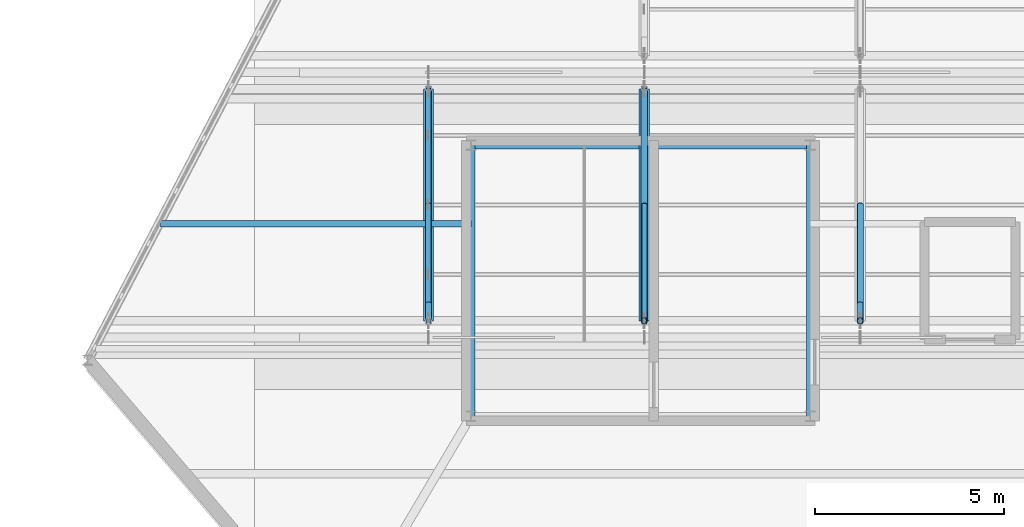
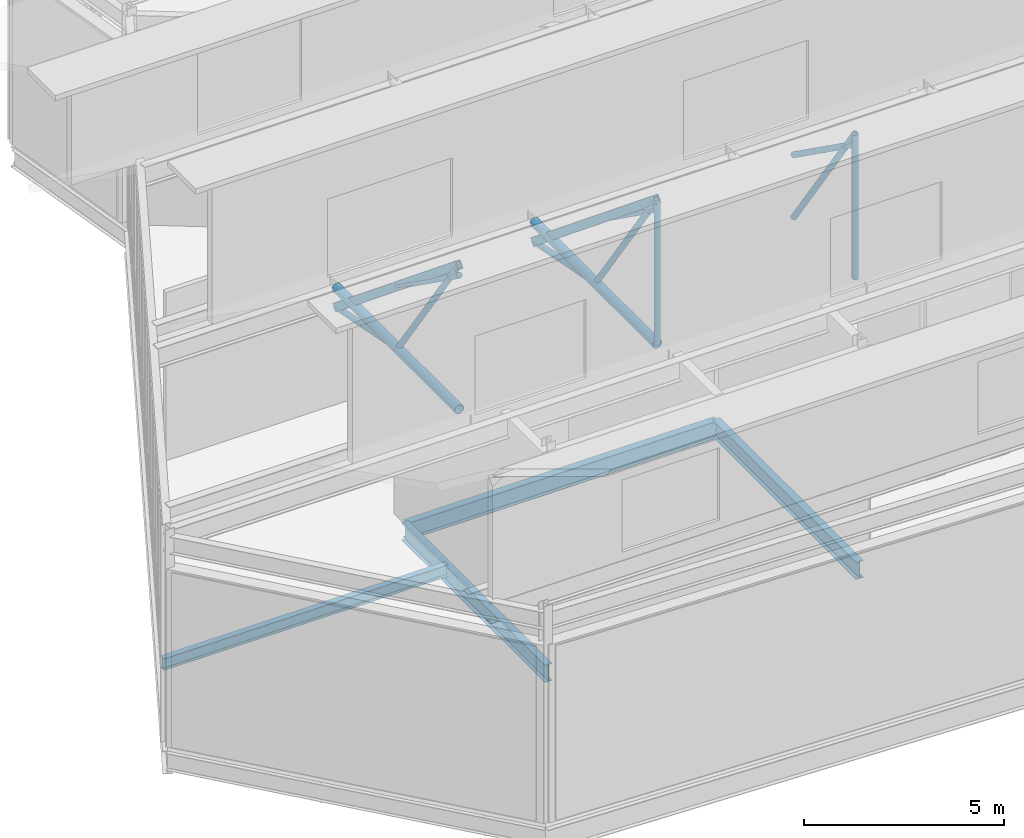
# One storey, part 8 of 55: 14 members, 4 beams.
"""IFC4 building model written with IfcOpenShell, lengths in metres."""

import ifcopenshell
import ifcopenshell.guid

model = None  # the IFC model being written
_history = None  # IfcOwnerHistory: only IFC2X3 demands one
_inside = {}  # id of a spatial element -> (the spatial element, [elements in it])
_under = {}  # id of a project, library or spatial element -> (it, [spatial elements below it])
_declared = {}  # id of a project -> (the project, [libraries it declares])
_typed = {}  # id of a type object -> (the type object, [elements of that type])
_made_of = {}  # id of a material, layer set ... -> (it, [elements and type objects made of it])


def new_model(schema):
    """Start an empty IFC model of exactly this schema.

    Asked for "IFC4X3", IfcOpenShell would pick the latest addendum, in which some entities
    have other attributes; the version numbers below select the first issue.
    IFC2X3 requires an IfcOwnerHistory on every rooted entity: one is made here for all.
    """
    global model, _history
    if schema == "IFC4X3":
        model = ifcopenshell.file(schema_version=(4, 3, 0, 0))
    else:
        model = ifcopenshell.file(schema=schema)
    _inside.clear()
    _under.clear()
    _declared.clear()
    _typed.clear()
    _made_of.clear()
    _history = None
    if model.schema == "IFC2X3":
        org = make("IfcOrganization", Name="unknown")
        user = make(
            "IfcPersonAndOrganization",
            ThePerson=make("IfcPerson", FamilyName="unknown"),
            TheOrganization=org,
        )
        app = make(
            "IfcApplication",
            ApplicationDeveloper=org,
            Version="unknown",
            ApplicationFullName="unknown",
            ApplicationIdentifier="unknown",
        )
        _history = make(
            "IfcOwnerHistory",
            OwningUser=user,
            OwningApplication=app,
            ChangeAction="ADDED",
            CreationDate=0,
        )
    return model


def make(cls, **values):
    """One entity of the class cls with the attributes given. An attribute that is None is left unset."""
    return model.create_entity(
        cls, **{name: value for name, value in values.items() if value is not None}
    )


def rooted(cls, **values):
    """An entity with a GlobalId (a new one), such as an element, a storey or a relation."""
    return make(cls, GlobalId=ifcopenshell.guid.new(), OwnerHistory=_history, **values)


def si_unit(unit_type, name, prefix=None):
    """IfcSIUnit, for example si_unit("LENGTHUNIT", "METRE", prefix="MILLI")."""
    return make("IfcSIUnit", UnitType=unit_type, Prefix=prefix, Name=name)


def assignment(units):
    """IfcUnitAssignment: the units of a project."""
    return None if units is None else make("IfcUnitAssignment", Units=units)


def point(xyz):
    """IfcCartesianPoint."""
    return None if xyz is None else make("IfcCartesianPoint", Coordinates=xyz)


def direction(xyz):
    """IfcDirection."""
    return None if xyz is None else make("IfcDirection", DirectionRatios=xyz)


def frame(location, z_axis=None, x_axis=None):
    """IfcAxis2Placement3D, a coordinate frame: its origin and axes. An axis left out is left unset."""
    return make(
        "IfcAxis2Placement3D",
        Location=point(location),
        Axis=direction(z_axis),
        RefDirection=direction(x_axis),
    )


def frame_2d(location, x_axis=None):
    """IfcAxis2Placement2D, a coordinate frame in the plane: its origin and x axis."""
    return make(
        "IfcAxis2Placement2D", Location=point(location), RefDirection=direction(x_axis)
    )


def origin():
    """The frame at (0, 0, 0) with its axes left unset."""
    return frame((0.0, 0.0, 0.0))


def origin_2d():
    """The frame at (0, 0) in the plane with its x axis left unset."""
    return frame_2d((0.0, 0.0))


def place(relative_to, where):
    """IfcLocalPlacement: puts the frame where relative to a parent placement (None: the world)."""
    return make(
        "IfcLocalPlacement", PlacementRelTo=relative_to, RelativePlacement=where
    )


def context(
    kind, dimensions, precision=None, world=None, true_north=None, identifier=None
):
    """IfcGeometricRepresentationContext, for example the 3D "Model" context."""
    return make(
        "IfcGeometricRepresentationContext",
        ContextIdentifier=identifier,
        ContextType=kind,
        CoordinateSpaceDimension=dimensions,
        Precision=precision,
        WorldCoordinateSystem=world,
        TrueNorth=true_north,
    )


def subcontext(parent, identifier, kind, view, scale=None):
    """IfcGeometricRepresentationSubContext, for example "Body" below "Model"."""
    return make(
        "IfcGeometricRepresentationSubContext",
        ContextIdentifier=identifier,
        ContextType=kind,
        ParentContext=parent,
        TargetScale=scale,
        TargetView=view,
    )


def project(units=None, contexts=None):
    """IfcProject with its units and contexts."""
    return rooted(
        "IfcProject",
        Name="project",
        RepresentationContexts=contexts,
        UnitsInContext=assignment(units),
    )


def spatial(cls, under=None, at=None, **own):
    """A site, building, storey or space (cls), placed at a placement, below another one or the project."""
    s = rooted(cls, ObjectPlacement=at, **own)
    if under is not None:
        _under.setdefault(under.id(), (under, []))[1].append(s)
    return s


def profile(cls, at=None, kind="AREA", **sizes):
    """A parametric profile (cls). Its sizes go by their IFC names, for example OverallWidth=200.0."""
    return make(cls, ProfileType=kind, Position=at, **sizes)


def hollow_rectangle(**sizes):
    """IfcRectangleHollowProfileDef."""
    return profile("IfcRectangleHollowProfileDef", **sizes)


def hollow_circle(**sizes):
    """IfcCircleHollowProfileDef."""
    return profile("IfcCircleHollowProfileDef", **sizes)


def i_section(**sizes):
    """IfcIShapeProfileDef."""
    return profile("IfcIShapeProfileDef", **sizes)


def extrude(swept, where, along, depth):
    """IfcExtrudedAreaSolid: the profile swept, set in the frame where, extruded along a direction by depth."""
    return make(
        "IfcExtrudedAreaSolid",
        SweptArea=swept,
        Position=where,
        ExtrudedDirection=direction(along),
        Depth=depth,
    )


def shape(context_of_items, identifier, shape_type, items):
    """IfcShapeRepresentation: the items that make up one representation, for example the "Body"."""
    return make(
        "IfcShapeRepresentation",
        ContextOfItems=context_of_items,
        RepresentationIdentifier=identifier,
        RepresentationType=shape_type,
        Items=items,
    )


def material(Name=None, Category=None):
    """IfcMaterial."""
    return make("IfcMaterial", Name=Name, Category=Category)


def material_profile(
    of_material, cross_section, Name=None, Category=None, Priority=None
):
    """IfcMaterialProfile: a cross section and its material."""
    return make(
        "IfcMaterialProfile",
        Name=Name,
        Material=of_material,
        Profile=cross_section,
        Priority=Priority,
        Category=Category,
    )


def profile_set(profiles, Name=None, composite=None):
    """IfcMaterialProfileSet."""
    return make(
        "IfcMaterialProfileSet",
        Name=Name,
        MaterialProfiles=profiles,
        CompositeProfile=composite,
    )


def made_of(thing, what):
    """Note that an element or type object is made of a material, layer set ...; save() writes the relation."""
    if what is not None:
        _made_of.setdefault(what.id(), (what, []))[1].append(thing)
    return thing


def type_object(cls, material=None, **own):
    """A type object (cls), such as IfcWallType, which elements share."""
    return made_of(rooted(cls, **own), material)


def element(
    cls,
    number,
    at=None,
    inside=None,
    cuts=None,
    type_object=None,
    material=None,
    context=None,
    identifier="Body",
    shape_type=None,
    held_by="IfcProductDefinitionShape",
    body=None,
    shapes=None,
    **own,
):
    """One element of the class cls, such as IfcWall. Its Tag is "e" and its number.

    at: its placement. inside: the storey or other place that contains it. cuts: it is an
    opening in that element (IfcRelVoidsElement). A single representation is given by context,
    identifier, shape_type and body (its items); several are given by shapes. held_by: the class
    of the entity that holds the representations. save() writes the other relations.
    """
    e = rooted(cls, Tag="e%d" % number, ObjectPlacement=at, **own)
    if body is not None:
        shapes = [shape(context, identifier, shape_type, body)]
    if shapes is not None:
        e.Representation = make(held_by, Representations=shapes)
    if inside is not None:
        _inside.setdefault(inside.id(), (inside, []))[1].append(e)
    if cuts is not None:
        rooted(
            "IfcRelVoidsElement", RelatingBuildingElement=cuts, RelatedOpeningElement=e
        )
    if type_object is not None:
        _typed.setdefault(type_object.id(), (type_object, []))[1].append(e)
    return made_of(e, material)


def aggregate(whole, parts):
    """IfcRelAggregates: a whole, such as a stair, and the parts it consists of."""
    return rooted("IfcRelAggregates", RelatingObject=whole, RelatedObjects=parts)


def save(model, path):
    """Write the relations noted so far, then the file.

    IfcRelAggregates (storeys below a building ...), IfcRelContainedInSpatialStructure (elements
    in a storey), IfcRelDefinesByType, IfcRelAssociatesMaterial and IfcRelDeclares: one each for
    every whole, place, type object, material and project.
    """
    for whole, parts in _under.values():
        aggregate(whole, parts)
    for where, things in _inside.values():
        rooted(
            "IfcRelContainedInSpatialStructure",
            RelatedElements=things,
            RelatingStructure=where,
        )
    for kind, things in _typed.values():
        rooted("IfcRelDefinesByType", RelatedObjects=things, RelatingType=kind)
    for what, things in _made_of.values():
        rooted("IfcRelAssociatesMaterial", RelatedObjects=things, RelatingMaterial=what)
    for by, libraries in _declared.values():
        rooted("IfcRelDeclares", RelatingContext=by, RelatedDefinitions=libraries)
    model.write(path)


model = new_model("IFC4")

# Units and contexts
model_context = context("Model", 3, precision=1e-05, world=origin(), true_north=direction((0.0, 1.0)))
body_context = subcontext(model_context, "Body", "Model", "MODEL_VIEW")
ifc_project = project(units=[si_unit("LENGTHUNIT", "METRE"), si_unit("AREAUNIT", "SQUARE_METRE"), si_unit("VOLUMEUNIT", "CUBIC_METRE"), si_unit("PLANEANGLEUNIT", "RADIAN"), si_unit("MASSUNIT", "GRAM", prefix="KILO")], contexts=[model_context])

# Site, building, storey
site_placement = place(None, origin())
site = spatial("IfcSite", under=ifc_project, at=site_placement, CompositionType="ELEMENT")
building_placement = place(site_placement, origin())
building = spatial("IfcBuilding", under=site, at=building_placement, Name="Tameran Prism Museum", CompositionType="ELEMENT")
storey_placement = place(building_placement, frame((0.0, 0.0, 28.800048828125)))
storey = spatial("IfcBuildingStorey", under=building, at=storey_placement, Name="L05", CompositionType="ELEMENT", Elevation=28.800048828125)

# Beams
ifc_material_1 = material(Name="Steel Grade 300PLUS (300 MPa)", Category="steel")
ifc_material_profile_1 = material_profile(ifc_material_1, i_section(OverallWidth=0.1708984375, OverallDepth=0.35595703125, WebThickness=0.00732421875, FlangeThickness=0.011474609375, FilletRadius=0.011474609375, at=origin_2d()))
ifc_profile_set_1 = profile_set([ifc_material_profile_1])
beam_type_1 = type_object("IfcBeamType", Name="BM-J360B", PredefinedType="JOIST", material=ifc_profile_set_1)
beam_1_placement = place(storey_placement, frame((94.825927734375, 82.5, -0.41796875), z_axis=(1.0, 0.0, 0.0), x_axis=(0.0, 1.0, 0.0)))
element("IfcBeam", 1, at=beam_1_placement, inside=storey, type_object=beam_type_1, Name="Floor Beam BM-1287", PredefinedType="JOIST", context=body_context, shape_type="SweptSolid", body=[
    extrude(i_section(OverallWidth=0.1708984375, OverallDepth=0.35595703125, WebThickness=0.00732421875, FlangeThickness=0.011474609375, FilletRadius=0.011474609375, at=origin_2d()), origin(), (0.0, 0.0, 1.0), 8.194091796875),
])
ifc_material_2 = material(Name="Steel Grade 300PLUS (300 MPa)", Category="steel")
ifc_material_profile_2 = material_profile(ifc_material_2, i_section(OverallWidth=0.208984375, OverallDepth=0.528076171875, WebThickness=0.009521484375, FlangeThickness=0.01318359375, FilletRadius=0.013916015625, at=origin_2d()))
ifc_profile_set_2 = profile_set([ifc_material_profile_2])
beam_type_2 = type_object("IfcBeamType", Name="BM-SP530B", PredefinedType="SPANDREL", material=ifc_profile_set_2)
beam_2_placement = place(storey_placement, frame((111.97998046875, 77.419921875, -0.504150390625), z_axis=(0.0, 1.0, 0.0), x_axis=(-1.0, 0.0, 0.0)))
element("IfcBeam", 2, at=beam_2_placement, inside=storey, type_object=beam_type_2, Name="Core Ring Beam CTB-1272", PredefinedType="SPANDREL", context=body_context, shape_type="SweptSolid", body=[
    extrude(i_section(OverallWidth=0.208984375, OverallDepth=0.528076171875, WebThickness=0.009521484375, FlangeThickness=0.01318359375, FilletRadius=0.013916015625, at=origin_2d()), origin(), (0.0, 0.0, 1.0), 7.16015625),
])
beam_3_placement = place(storey_placement, frame((111.97998046875, 84.580078125, -0.504150390625), z_axis=(-1.0, 0.0, 0.0), x_axis=(0.0, -1.0, 0.0)))
element("IfcBeam", 3, at=beam_3_placement, inside=storey, type_object=beam_type_2, Name="Core Ring Beam CTB-1273", PredefinedType="SPANDREL", context=body_context, shape_type="SweptSolid", body=[
    extrude(i_section(OverallWidth=0.208984375, OverallDepth=0.528076171875, WebThickness=0.009521484375, FlangeThickness=0.01318359375, FilletRadius=0.013916015625, at=origin_2d()), origin(), (0.0, 0.0, 1.0), 8.9599609375),
])
beam_4_placement = place(storey_placement, frame((103.02001953125, 84.580078125, -0.504150390625), z_axis=(0.0, -1.0, 0.0), x_axis=(1.0, 0.0, 0.0)))
element("IfcBeam", 4, at=beam_4_placement, inside=storey, type_object=beam_type_2, Name="Core Ring Beam CTB-1274", PredefinedType="SPANDREL", context=body_context, shape_type="SweptSolid", body=[
    extrude(i_section(OverallWidth=0.208984375, OverallDepth=0.528076171875, WebThickness=0.009521484375, FlangeThickness=0.01318359375, FilletRadius=0.013916015625, at=origin_2d()), origin(), (0.0, 0.0, 1.0), 7.16015625),
])

# Members
ifc_material_3 = material(Name="Steel Grade C350L0 (350 MPa)", Category="steel")
ifc_material_profile_3 = material_profile(ifc_material_3, hollow_circle(Radius=0.084228515625, WallThickness=0.007080078125, at=origin_2d()))
ifc_profile_set_3 = profile_set([ifc_material_profile_3])
member_type_1 = type_object("IfcMemberType", Name="MM-BR-CHS168", PredefinedType="BRACE", material=ifc_profile_set_3)
member_1_placement = place(storey_placement, frame((101.89990234375, 83.0, 6.385986328125), z_axis=(0.0, -0.570800267729, 0.821088944244), x_axis=(1.0, 0.0, 0.0)))
element("IfcMember", 5, at=member_1_placement, inside=storey, type_object=member_type_1, Name="Sawtooth Brace STM-0033", PredefinedType="BRACE", context=body_context, shape_type="SweptSolid", body=[
    extrude(hollow_circle(Radius=0.084228515625, WallThickness=0.007080078125, at=origin_2d()), origin(), (0.0, 0.0, 1.0), 5.361083984375),
])
member_2_placement = place(storey_placement, frame((101.89990234375, 83.0, 6.385986328125), z_axis=(0.0, 0.981426640065, -0.191837822575), x_axis=(-1.0, 0.0, 0.0)))
element("IfcMember", 6, at=member_2_placement, inside=storey, type_object=member_type_1, Name="Sawtooth Brace STM-0034", PredefinedType="BRACE", context=body_context, shape_type="SweptSolid", body=[
    extrude(hollow_circle(Radius=0.084228515625, WallThickness=0.007080078125, at=origin_2d()), origin(), (0.0, 0.0, 1.0), 3.117919921875),
])
member_3_placement = place(storey_placement, frame((107.60009765625, 79.93994140625, 6.385986328125), z_axis=(0.0, 0.0, 1.0), x_axis=(1.0, 0.0, 0.0)))
element("IfcMember", 7, at=member_3_placement, inside=storey, type_object=member_type_1, Name="Sawtooth Brace STM-0038", PredefinedType="BRACE", context=body_context, shape_type="SweptSolid", body=[
    extrude(hollow_circle(Radius=0.084228515625, WallThickness=0.007080078125, at=origin_2d()), origin(), (0.0, 0.0, 1.0), 4.40185546875),
])
member_4_placement = place(storey_placement, frame((107.60009765625, 83.0, 6.385986328125), z_axis=(0.0, -0.570800267729, 0.821088944244), x_axis=(1.0, 0.0, 0.0)))
element("IfcMember", 8, at=member_4_placement, inside=storey, type_object=member_type_1, Name="Sawtooth Brace STM-0040", PredefinedType="BRACE", context=body_context, shape_type="SweptSolid", body=[
    extrude(hollow_circle(Radius=0.084228515625, WallThickness=0.007080078125, at=origin_2d()), origin(), (0.0, 0.0, 1.0), 5.361083984375),
])
member_5_placement = place(storey_placement, frame((107.60009765625, 83.0, 6.385986328125), z_axis=(0.0, 0.981426640065, -0.191837822575), x_axis=(-1.0, 0.0, 0.0)))
element("IfcMember", 9, at=member_5_placement, inside=storey, type_object=member_type_1, Name="Sawtooth Brace STM-0041", PredefinedType="BRACE", context=body_context, shape_type="SweptSolid", body=[
    extrude(hollow_circle(Radius=0.084228515625, WallThickness=0.007080078125, at=origin_2d()), origin(), (0.0, 0.0, 1.0), 3.117919921875),
])
member_6_placement = place(storey_placement, frame((113.300048828125, 79.93994140625, 6.385986328125), z_axis=(0.0, 0.0, 1.0), x_axis=(1.0, 0.0, 0.0)))
element("IfcMember", 10, at=member_6_placement, inside=storey, type_object=member_type_1, Name="Sawtooth Brace STM-0045", PredefinedType="BRACE", context=body_context, shape_type="SweptSolid", body=[
    extrude(hollow_circle(Radius=0.084228515625, WallThickness=0.007080078125, at=origin_2d()), origin(), (0.0, 0.0, 1.0), 4.40185546875),
])
member_7_placement = place(storey_placement, frame((113.300048828125, 83.0, 6.385986328125), z_axis=(0.0, -0.570800267729, 0.821088944244), x_axis=(1.0, 0.0, 0.0)))
element("IfcMember", 11, at=member_7_placement, inside=storey, type_object=member_type_1, Name="Sawtooth Brace STM-0047", PredefinedType="BRACE", context=body_context, shape_type="SweptSolid", body=[
    extrude(hollow_circle(Radius=0.084228515625, WallThickness=0.007080078125, at=origin_2d()), origin(), (0.0, 0.0, 1.0), 5.361083984375),
])
ifc_material_4 = material(Name="Steel Grade C350L0 (350 MPa)", Category="steel")
ifc_material_profile_4 = material_profile(ifc_material_4, hollow_circle(Radius=0.136474609375, WallThickness=0.00927734375, at=origin_2d()))
ifc_profile_set_4 = profile_set([ifc_material_profile_4])
member_type_2 = type_object("IfcMemberType", Name="MM-CH-CHS273", PredefinedType="CHORD", material=ifc_profile_set_4)
for number, where, z_axis, x_axis, name in (
    (12, (101.89990234375, 79.93994140625, 6.385986328125), (0.0, 1.0, 0.0), (-1.0, 0.0, 0.0), "Sawtooth Chord STM-0029"),
    (13, (107.60009765625, 79.93994140625, 6.385986328125), (0.0, 1.0, 0.0), (-1.0, 0.0, 0.0), "Sawtooth Chord STM-0036"),
):
    element("IfcMember", number, at=place(storey_placement, frame(where, z_axis=z_axis, x_axis=x_axis)), inside=storey, type_object=member_type_2, Name=name, PredefinedType="CHORD", context=body_context, shape_type="SweptSolid", body=[
        extrude(hollow_circle(Radius=0.136474609375, WallThickness=0.00927734375, at=origin_2d()), origin(), (0.0, 0.0, 1.0), 6.1201171875),
    ])
ifc_material_5 = material(Name="Steel Grade C350L0 (350 MPa)", Category="steel")
ifc_material_profile_5 = material_profile(ifc_material_5, hollow_rectangle(XDim=0.14990234375, YDim=0.25, WallThickness=0.009033203125, InnerFilletRadius=0.013427734375, OuterFilletRadius=0.0224609375, at=origin_2d()))
ifc_profile_set_5 = profile_set([ifc_material_profile_5])
member_type_3 = type_object("IfcMemberType", Name="MM-RF-RHS250", PredefinedType="RAFTER", material=ifc_profile_set_5)
for number, where, z_axis, x_axis, name in (
    (14, (101.89990234375, 79.93994140625, 10.787841796875), (0.0, 0.774414062505, -0.632679112817), (-1.0, 0.0, 0.0), "Sawtooth Rafter STM-0030"),
    (15, (107.60009765625, 79.93994140625, 10.787841796875), (0.0, 0.774414062505, -0.632679112817), (-1.0, 0.0, 0.0), "Sawtooth Rafter STM-0037"),
):
    element("IfcMember", number, at=place(storey_placement, frame(where, z_axis=z_axis, x_axis=x_axis)), inside=storey, type_object=member_type_3, Name=name, PredefinedType="RAFTER", context=body_context, shape_type="SweptSolid", body=[
        extrude(hollow_rectangle(XDim=0.14990234375, YDim=0.25, WallThickness=0.009033203125, InnerFilletRadius=0.013427734375, OuterFilletRadius=0.0224609375, at=origin_2d()), origin(), (0.0, 0.0, 1.0), 7.90283203125),
    ])
ifc_material_6 = material(Name="Steel Grade C350L0 (350 MPa)", Category="steel")
ifc_material_profile_6 = material_profile(ifc_material_6, hollow_circle(Radius=0.06982421875, WallThickness=0.00634765625, at=origin_2d()))
ifc_profile_set_6 = profile_set([ifc_material_profile_6])
member_type_4 = type_object("IfcMemberType", Name="MM-ST-CHS140", PredefinedType="STRUT", material=ifc_profile_set_6)
member_8_placement = place(storey_placement, frame((107.60009765625, 79.93994140625, 10.468017578125), z_axis=(0.0, 0.814435342728, -0.580254317102), x_axis=(-1.0, 0.0, 0.0)))
element("IfcMember", 16, at=member_8_placement, inside=storey, type_object=member_type_4, Name="Sawtooth Strut STM-0042", PredefinedType="STRUT", context=body_context, shape_type="SweptSolid", body=[
    extrude(hollow_circle(Radius=0.06982421875, WallThickness=0.00634765625, at=origin_2d()), origin(), (0.0, 0.0, 1.0), 3.75732421875),
])
ifc_material_7 = material(Name="Steel Grade C350L0 (350 MPa)", Category="steel")
ifc_material_profile_7 = material_profile(ifc_material_7, hollow_circle(Radius=0.084228515625, WallThickness=0.007080078125, at=origin_2d()))
ifc_profile_set_7 = profile_set([ifc_material_profile_7])
member_type_5 = type_object("IfcMemberType", Name="MM-ST-CHS168", PredefinedType="STRUT", material=ifc_profile_set_7)
for number, where, z_axis, x_axis, name in (
    (17, (101.89990234375, 79.93994140625, 10.468017578125), (0.0, 0.814435342728, -0.580254317102), (-1.0, 0.0, 0.0), "Sawtooth Strut STM-0035"),
    (18, (113.300048828125, 79.93994140625, 10.468017578125), (0.0, 0.814435342728, -0.580254317102), (-1.0, 0.0, 0.0), "Sawtooth Strut STM-0049"),
):
    element("IfcMember", number, at=place(storey_placement, frame(where, z_axis=z_axis, x_axis=x_axis)), inside=storey, type_object=member_type_5, Name=name, PredefinedType="STRUT", context=body_context, shape_type="SweptSolid", body=[
        extrude(hollow_circle(Radius=0.084228515625, WallThickness=0.007080078125, at=origin_2d()), origin(), (0.0, 0.0, 1.0), 3.75732421875),
    ])

save(model, "model.ifc")
